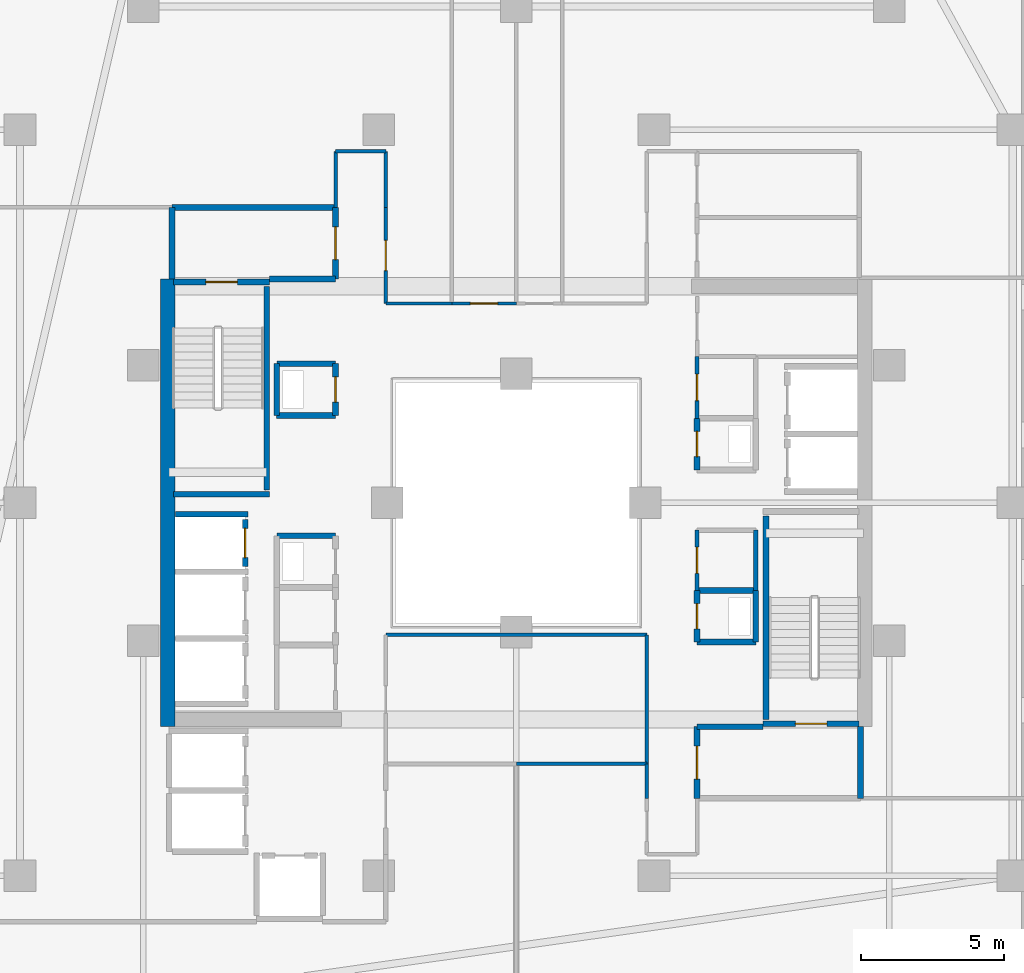
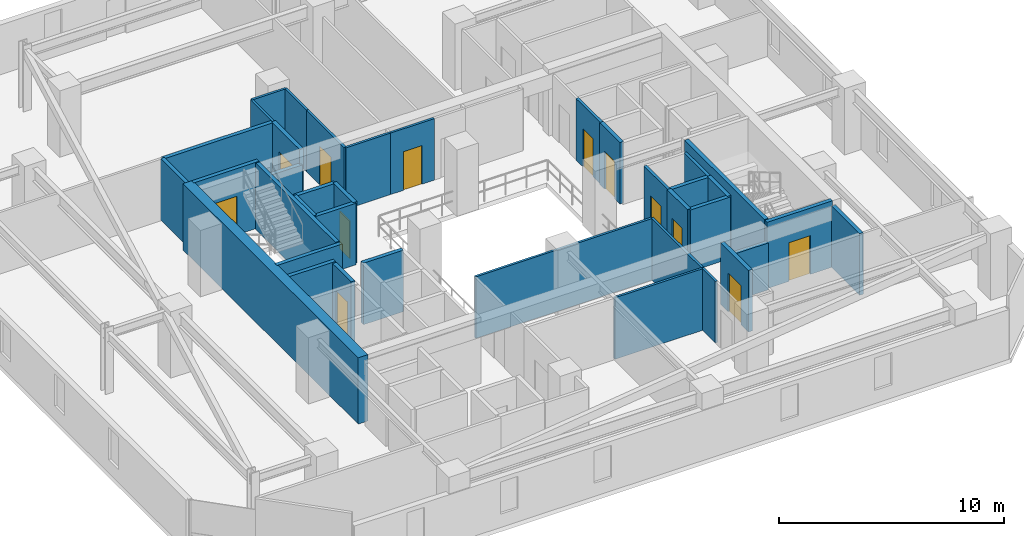
# One storey, part 24 of 33: 38 walls, 12 doors, 12 openings.
"""IFC4 building model written with IfcOpenShell, lengths in metres."""

from ifc_helpers import new_model, si_unit, direction, frame, frame_2d, origin, place, context, subcontext, project, spatial, rectangle, extrude, material, layer, layer_set, type_object, element, fill, save


model = new_model("IFC4")

# Units and contexts
model_context = context("Model", 3, precision=1e-05, world=origin(), true_north=direction((0.0, 1.0)))
body_context = subcontext(model_context, "Body", "Model", "MODEL_VIEW")
ifc_project = project(units=[si_unit("LENGTHUNIT", "METRE"), si_unit("AREAUNIT", "SQUARE_METRE"), si_unit("VOLUMEUNIT", "CUBIC_METRE"), si_unit("PLANEANGLEUNIT", "RADIAN"), si_unit("MASSUNIT", "GRAM", prefix="KILO")], contexts=[model_context])

# Site, building, storey
site_placement = place(None, origin())
site = spatial("IfcSite", under=ifc_project, at=site_placement, CompositionType="ELEMENT")
building_placement = place(site_placement, origin())
building = spatial("IfcBuilding", under=site, at=building_placement, Name="Thornwick Lancets Civic Towers", CompositionType="ELEMENT")
storey_placement = place(building_placement, frame((0.0, 0.0, 185.699951171875)))
storey = spatial("IfcBuildingStorey", under=building, at=storey_placement, Name="L49", CompositionType="ELEMENT", Elevation=185.699951171875)

# Wall, opening, door
ifc_material_1 = material(Name="Concrete blockwork C40/50", Category="masonry")
ifc_layer_1 = layer(ifc_material_1, 0.199951171875, Name="Concrete blockwork C40/50")
ifc_layer_set_1 = layer_set([ifc_layer_1], Name="Concrete blockwork C40/50")
wall_type_1 = type_object("IfcWallType", Name="WALL_COMP_200", PredefinedType="STANDARD", material=ifc_layer_set_1)
wall_1_placement = place(storey_placement, frame((79.050048828125, 24.780029296875, 0.0), z_axis=(0.0, 0.0, 1.0), x_axis=(0.0, 1.0, 0.0)))
wall_1 = element("IfcWall", 1, at=wall_1_placement, inside=storey, type_object=wall_type_1, Name="L49 Hoistway Front Wall FL-B2", PredefinedType="STANDARD", context=body_context, shape_type="SweptSolid", body=[
    extrude(rectangle(XDim=1.639892578125, YDim=0.199951171875, at=frame_2d((0.81982421875, 0.0))), origin(), (0.0, 0.0, 1.0), 3.340087890625),
])
opening_1_placement = place(wall_1_placement, frame((0.31005859375, 0.0, 0.0)))
opening_1 = element("IfcOpeningElement", 2, at=opening_1_placement, cuts=wall_1, Name="Opening LD-FL-B2", PredefinedType="OPENING", context=body_context, shape_type="SweptSolid", body=[
    extrude(rectangle(XDim=1.02001953125, YDim=2.06005859375, at=frame_2d((0.510009765625, 1.030029296875))), frame((0.0, 0.10986328125, 0.0), z_axis=(0.0, -1.0, 0.0), x_axis=(1.0, 0.0, 0.0)), (0.0, 0.0, 1.0), 0.219970703125),
])
ifc_material_2 = material(Name="Brushed bronze stainless steel", Category="steel")
door_type_1 = type_object("IfcDoorType", Name="DOOR_LIFT_SLIDE", OperationType="SLIDING_TO_LEFT", PredefinedType="DOOR", material=ifc_material_2)
door_1_placement = place(opening_1_placement, origin())
door_1 = element("IfcDoor", 3, at=door_1_placement, inside=storey, type_object=door_type_1, Name="L49 Sliding Lift Landing Door LD-FL-B2", OperationType="SLIDING_TO_LEFT", OverallHeight=2.06005859375, OverallWidth=1.02001953125, PredefinedType="DOOR", context=body_context, shape_type="SweptSolid", body=[
    extrude(rectangle(XDim=1.02001953125, YDim=2.06005859375, at=frame_2d((0.510009765625, 1.030029296875))), frame((0.0, 0.02490234375, 0.0), z_axis=(0.0, -1.0, 0.0), x_axis=(1.0, 0.0, 0.0)), (0.0, 0.0, 1.0), 0.050048828125),
])
fill(opening_1, door_1)

# Walls
wall_2_placement = place(storey_placement, frame((76.612060546875, 26.60009765625, 0.0), z_axis=(0.0, 0.0, 1.0), x_axis=(1.0, 0.0, 0.0)))
element("IfcWall", 4, at=wall_2_placement, inside=storey, type_object=wall_type_1, Name="L49 Hoistway Shaft Wall FL-B2 N", PredefinedType="STANDARD", context=body_context, shape_type="SweptSolid", body=[
    extrude(rectangle(XDim=2.535888671875, YDim=0.199951171875, at=frame_2d((1.26806640625, 0.0))), origin(), (0.0, 0.0, 1.0), 3.340087890625),
])
wall_3_placement = place(storey_placement, frame((100.5, 16.699951171875, 0.0), z_axis=(0.0, 0.0, 1.0), x_axis=(0.0, 1.0, 0.0)))
element("IfcWall", 5, at=wall_3_placement, inside=storey, type_object=wall_type_1, Name="L49 Partition L49-B-FFLOB1 E2", PredefinedType="STANDARD", context=body_context, shape_type="SweptSolid", body=[
    extrude(rectangle(XDim=2.5, YDim=0.199951171875, at=frame_2d((1.25, 0.0))), origin(), (0.0, 0.0, 1.0), 3.340087890625),
])
wall_4_placement = place(storey_placement, frame((97.10009765625, 19.199951171875, 0.0), z_axis=(0.0, 0.0, 1.0), x_axis=(-1.0, 0.0, 0.0)))
element("IfcWall", 6, at=wall_4_placement, inside=storey, type_object=wall_type_1, Name="L49 Partition L49-B-FFLOB1 E3", PredefinedType="STANDARD", context=body_context, shape_type="SweptSolid", body=[
    extrude(rectangle(XDim=2.300048828125, YDim=0.199951171875, at=frame_2d((1.14990234375, 0.0))), origin(), (0.0, 0.0, 1.0), 2.545166015625),
])

# Wall, opening, door
wall_5_placement = place(storey_placement, frame((94.800048828125, 19.199951171875, 0.0), z_axis=(0.0, 0.0, 1.0), x_axis=(0.0, -1.0, 0.0)))
wall_5 = element("IfcWall", 7, at=wall_5_placement, inside=storey, type_object=wall_type_1, Name="L49 Partition L49-B-FFLOB1 E4", PredefinedType="STANDARD", context=body_context, shape_type="SweptSolid", body=[
    extrude(rectangle(XDim=2.5, YDim=0.199951171875, at=frame_2d((1.25, 0.0))), origin(), (0.0, 0.0, 1.0), 3.340087890625),
])
opening_2_placement = place(wall_5_placement, frame((0.675048828125, 0.0, 0.0)))
opening_2 = element("IfcOpeningElement", 8, at=opening_2_placement, cuts=wall_5, Name="Opening D-L49-2172", PredefinedType="OPENING", context=body_context, shape_type="SweptSolid", body=[
    extrude(rectangle(XDim=1.14990234375, YDim=2.10009765625, at=frame_2d((0.574951171875, 1.050048828125))), frame((0.0, 0.10986328125, 0.0), z_axis=(0.0, -1.0, 0.0), x_axis=(1.0, 0.0, 0.0)), (0.0, 0.0, 1.0), 0.219970703125),
])
ifc_material_3 = material(Name="Glazed fire-resisting steel", Category="steel")
door_type_2 = type_object("IfcDoorType", Name="DOOR_LOBBY_FD60", OperationType="NOTDEFINED", PredefinedType="DOOR", material=ifc_material_3)
door_2_placement = place(opening_2_placement, origin())
door_2 = element("IfcDoor", 9, at=door_2_placement, inside=storey, type_object=door_type_2, Name="L49 East Firefighting Lobby 1 Door", OperationType="SINGLE_SWING_LEFT", OverallHeight=2.10009765625, OverallWidth=1.14990234375, PredefinedType="DOOR", context=body_context, shape_type="SweptSolid", body=[
    extrude(rectangle(XDim=1.14990234375, YDim=2.10009765625, at=frame_2d((0.574951171875, 1.050048828125))), frame((0.0, 0.02490234375, 0.0), z_axis=(0.0, -1.0, 0.0), x_axis=(1.0, 0.0, 0.0)), (0.0, 0.0, 1.0), 0.050048828125),
])
fill(opening_2, door_2)

# Wall
wall_6_placement = place(storey_placement, frame((79.89990234375, 34.800048828125, 0.0), z_axis=(0.0, 0.0, 1.0), x_axis=(1.0, 0.0, 0.0)))
element("IfcWall", 10, at=wall_6_placement, inside=storey, type_object=wall_type_1, Name="L49 Partition L49-B-FFLOB2 E1", PredefinedType="STANDARD", context=body_context, shape_type="SweptSolid", body=[
    extrude(rectangle(XDim=2.300048828125, YDim=0.199951171875, at=frame_2d((1.14990234375, 0.0))), origin(), (0.0, 0.0, 1.0), 2.545166015625),
])

# Wall, opening, door
wall_7_placement = place(storey_placement, frame((82.199951171875, 34.800048828125, 0.0), z_axis=(0.0, 0.0, 1.0), x_axis=(0.0, 1.0, 0.0)))
wall_7 = element("IfcWall", 11, at=wall_7_placement, inside=storey, type_object=wall_type_1, Name="L49 Partition L49-B-FFLOB2 E2", PredefinedType="STANDARD", context=body_context, shape_type="SweptSolid", body=[
    extrude(rectangle(XDim=2.5, YDim=0.199951171875, at=frame_2d((1.25, 0.0))), origin(), (0.0, 0.0, 1.0), 3.340087890625),
])
opening_3_placement = place(wall_7_placement, frame((0.675048828125, 0.0, 0.0)))
opening_3 = element("IfcOpeningElement", 12, at=opening_3_placement, cuts=wall_7, Name="Opening D-L49-2173", PredefinedType="OPENING", context=body_context, shape_type="SweptSolid", body=[
    extrude(rectangle(XDim=1.14990234375, YDim=2.10009765625, at=frame_2d((0.574951171875, 1.050048828125))), frame((0.0, 0.10986328125, 0.0), z_axis=(0.0, -1.0, 0.0), x_axis=(1.0, 0.0, 0.0)), (0.0, 0.0, 1.0), 0.219970703125),
])
door_3_placement = place(opening_3_placement, origin())
door_3 = element("IfcDoor", 13, at=door_3_placement, inside=storey, type_object=door_type_2, Name="L49 West Firefighting Lobby 2 Door", OperationType="SINGLE_SWING_RIGHT", OverallHeight=2.10009765625, OverallWidth=1.14990234375, PredefinedType="DOOR", context=body_context, shape_type="SweptSolid", body=[
    extrude(rectangle(XDim=1.14990234375, YDim=2.10009765625, at=frame_2d((0.574951171875, 1.050048828125))), frame((0.0, 0.02490234375, 0.0), z_axis=(0.0, -1.0, 0.0), x_axis=(1.0, 0.0, 0.0)), (0.0, 0.0, 1.0), 0.050048828125),
])
fill(opening_3, door_3)

# Walls
wall_8_placement = place(storey_placement, frame((82.199951171875, 37.300048828125, 0.0), z_axis=(0.0, 0.0, 1.0), x_axis=(-1.0, 0.0, 0.0)))
element("IfcWall", 14, at=wall_8_placement, inside=storey, type_object=wall_type_1, Name="L49 Partition L49-B-FFLOB2 E3", PredefinedType="STANDARD", context=body_context, shape_type="SweptSolid", body=[
    extrude(rectangle(XDim=5.699951171875, YDim=0.199951171875, at=frame_2d((2.85009765625, 0.0))), origin(), (0.0, 0.0, 1.0), 3.340087890625),
])
wall_9_placement = place(storey_placement, frame((76.5, 37.300048828125, 0.0), z_axis=(0.0, 0.0, 1.0), x_axis=(0.0, -1.0, 0.0)))
element("IfcWall", 15, at=wall_9_placement, inside=storey, type_object=wall_type_1, Name="L49 Partition L49-B-FFLOB2 E4", PredefinedType="STANDARD", context=body_context, shape_type="SweptSolid", body=[
    extrude(rectangle(XDim=2.5, YDim=0.199951171875, at=frame_2d((1.25, 0.0))), origin(), (0.0, 0.0, 1.0), 3.340087890625),
])

# Wall, opening, door
wall_10_placement = place(storey_placement, frame((94.800048828125, 29.949951171875, 0.0), z_axis=(0.0, 0.0, 1.0), x_axis=(0.0, -1.0, 0.0)))
wall_10 = element("IfcWall", 16, at=wall_10_placement, inside=storey, type_object=wall_type_1, Name="L49 Partition L49-B-DUCT1 E4", PredefinedType="STANDARD", context=body_context, shape_type="SweptSolid", body=[
    extrude(rectangle(XDim=1.800048828125, YDim=0.199951171875, at=frame_2d((0.89990234375, 0.0))), origin(), (0.0, 0.0, 1.0), 3.340087890625),
])
opening_4_placement = place(wall_10_placement, frame((0.4599609375, 0.0, 0.0)))
opening_4 = element("IfcOpeningElement", 17, at=opening_4_placement, cuts=wall_10, Name="Opening D-L49-2174", PredefinedType="OPENING", context=body_context, shape_type="SweptSolid", body=[
    extrude(rectangle(XDim=0.8798828125, YDim=2.0400390625, at=frame_2d((0.43994140625, 1.02001953125))), frame((0.0, 0.10986328125, 0.0), z_axis=(0.0, -1.0, 0.0), x_axis=(1.0, 0.0, 0.0)), (0.0, 0.0, 1.0), 0.219970703125),
])
ifc_material_4 = material(Name="Steel riser access doorset", Category="steel")
door_type_3 = type_object("IfcDoorType", Name="DOOR_RISER_850", OperationType="NOTDEFINED", PredefinedType="DOOR", material=ifc_material_4)
door_4_placement = place(opening_4_placement, origin())
door_4 = element("IfcDoor", 18, at=door_4_placement, inside=storey, type_object=door_type_3, Name="L49 East Service Duct 1 Door", OperationType="SINGLE_SWING_LEFT", OverallHeight=2.0400390625, OverallWidth=0.8798828125, PredefinedType="DOOR", context=body_context, shape_type="SweptSolid", body=[
    extrude(rectangle(XDim=0.8798828125, YDim=2.0400390625, at=frame_2d((0.43994140625, 1.02001953125))), frame((0.0, 0.02490234375, 0.0), z_axis=(0.0, -1.0, 0.0), x_axis=(1.0, 0.0, 0.0)), (0.0, 0.0, 1.0), 0.050048828125),
])
fill(opening_4, door_4)

# Walls
wall_11_placement = place(storey_placement, frame((94.800048828125, 22.14990234375, 0.0), z_axis=(0.0, 0.0, 1.0), x_axis=(1.0, 0.0, 0.0)))
element("IfcWall", 19, at=wall_11_placement, inside=storey, type_object=wall_type_1, Name="L49 Partition L49-B-RISER1 E1", PredefinedType="STANDARD", context=body_context, shape_type="SweptSolid", body=[
    extrude(rectangle(XDim=2.050048828125, YDim=0.199951171875, at=frame_2d((1.02490234375, 0.0))), origin(), (0.0, 0.0, 1.0), 3.340087890625),
])
wall_12_placement = place(storey_placement, frame((96.85009765625, 22.14990234375, 0.0), z_axis=(0.0, 0.0, 1.0), x_axis=(0.0, 1.0, 0.0)))
element("IfcWall", 20, at=wall_12_placement, inside=storey, type_object=wall_type_1, Name="L49 Partition L49-B-RISER1 E2", PredefinedType="STANDARD", context=body_context, shape_type="SweptSolid", body=[
    extrude(rectangle(XDim=1.800048828125, YDim=0.199951171875, at=frame_2d((0.89990234375, 0.0))), origin(), (0.0, 0.0, 1.0), 3.340087890625),
])
wall_13_placement = place(storey_placement, frame((96.85009765625, 23.949951171875, 0.0), z_axis=(0.0, 0.0, 1.0), x_axis=(-1.0, 0.0, 0.0)))
element("IfcWall", 21, at=wall_13_placement, inside=storey, type_object=wall_type_1, Name="L49 Partition L49-B-RISER1 E3", PredefinedType="STANDARD", context=body_context, shape_type="SweptSolid", body=[
    extrude(rectangle(XDim=2.050048828125, YDim=0.199951171875, at=frame_2d((1.02490234375, 0.0))), origin(), (0.0, 0.0, 1.0), 3.340087890625),
])

# Wall, opening, door
wall_14_placement = place(storey_placement, frame((94.800048828125, 23.949951171875, 0.0), z_axis=(0.0, 0.0, 1.0), x_axis=(0.0, -1.0, 0.0)))
wall_14 = element("IfcWall", 22, at=wall_14_placement, inside=storey, type_object=wall_type_1, Name="L49 Partition L49-B-RISER1 E4", PredefinedType="STANDARD", context=body_context, shape_type="SweptSolid", body=[
    extrude(rectangle(XDim=1.800048828125, YDim=0.199951171875, at=frame_2d((0.89990234375, 0.0))), origin(), (0.0, 0.0, 1.0), 3.340087890625),
])
opening_5_placement = place(wall_14_placement, frame((0.4599609375, 0.0, 0.0)))
opening_5 = element("IfcOpeningElement", 23, at=opening_5_placement, cuts=wall_14, Name="Opening D-L49-2175", PredefinedType="OPENING", context=body_context, shape_type="SweptSolid", body=[
    extrude(rectangle(XDim=0.8798828125, YDim=2.0400390625, at=frame_2d((0.43994140625, 1.02001953125))), frame((0.0, 0.10986328125, 0.0), z_axis=(0.0, -1.0, 0.0), x_axis=(1.0, 0.0, 0.0)), (0.0, 0.0, 1.0), 0.219970703125),
])
door_5_placement = place(opening_5_placement, origin())
door_5 = element("IfcDoor", 24, at=door_5_placement, inside=storey, type_object=door_type_3, Name="L49 East Electrical Riser 1 Door", OperationType="SINGLE_SWING_RIGHT", OverallHeight=2.0400390625, OverallWidth=0.8798828125, PredefinedType="DOOR", context=body_context, shape_type="SweptSolid", body=[
    extrude(rectangle(XDim=0.8798828125, YDim=2.0400390625, at=frame_2d((0.43994140625, 1.02001953125))), frame((0.0, 0.02490234375, 0.0), z_axis=(0.0, -1.0, 0.0), x_axis=(1.0, 0.0, 0.0)), (0.0, 0.0, 1.0), 0.050048828125),
])
fill(opening_5, door_5)

# Walls
for number, where, z_axis, x_axis, name in (
    (25, (82.199951171875, 25.85009765625, 0.0), (0.0, 0.0, 1.0), (-1.0, 0.0, 0.0), "L49 Partition L49-B-DUCT2 E3"),
    (26, (80.14990234375, 30.050048828125, 0.0), (0.0, 0.0, 1.0), (1.0, 0.0, 0.0), "L49 Partition L49-B-RISER2 E1"),
):
    element("IfcWall", number, at=place(storey_placement, frame(where, z_axis=z_axis, x_axis=x_axis)), inside=storey, type_object=wall_type_1, Name=name, PredefinedType="STANDARD", context=body_context, shape_type="SweptSolid", body=[
        extrude(rectangle(XDim=2.050048828125, YDim=0.199951171875, at=frame_2d((1.02490234375, 0.0))), origin(), (0.0, 0.0, 1.0), 3.340087890625),
    ])

# Wall, opening, door
wall_15_placement = place(storey_placement, frame((82.199951171875, 30.050048828125, 0.0), z_axis=(0.0, 0.0, 1.0), x_axis=(0.0, 1.0, 0.0)))
wall_15 = element("IfcWall", 27, at=wall_15_placement, inside=storey, type_object=wall_type_1, Name="L49 Partition L49-B-RISER2 E2", PredefinedType="STANDARD", context=body_context, shape_type="SweptSolid", body=[
    extrude(rectangle(XDim=1.800048828125, YDim=0.199951171875, at=frame_2d((0.89990234375, 0.0))), origin(), (0.0, 0.0, 1.0), 3.340087890625),
])
opening_6_placement = place(wall_15_placement, frame((0.4599609375, 0.0, 0.0)))
opening_6 = element("IfcOpeningElement", 28, at=opening_6_placement, cuts=wall_15, Name="Opening D-L49-2177", PredefinedType="OPENING", context=body_context, shape_type="SweptSolid", body=[
    extrude(rectangle(XDim=0.8798828125, YDim=2.0400390625, at=frame_2d((0.43994140625, 1.02001953125))), frame((0.0, 0.10986328125, 0.0), z_axis=(0.0, -1.0, 0.0), x_axis=(1.0, 0.0, 0.0)), (0.0, 0.0, 1.0), 0.219970703125),
])
door_6_placement = place(opening_6_placement, origin())
door_6 = element("IfcDoor", 29, at=door_6_placement, inside=storey, type_object=door_type_3, Name="L49 West Service Riser 2 Door", OperationType="SINGLE_SWING_RIGHT", OverallHeight=2.0400390625, OverallWidth=0.8798828125, PredefinedType="DOOR", context=body_context, shape_type="SweptSolid", body=[
    extrude(rectangle(XDim=0.8798828125, YDim=2.0400390625, at=frame_2d((0.43994140625, 1.02001953125))), frame((0.0, 0.02490234375, 0.0), z_axis=(0.0, -1.0, 0.0), x_axis=(1.0, 0.0, 0.0)), (0.0, 0.0, 1.0), 0.050048828125),
])
fill(opening_6, door_6)

# Walls
wall_16_placement = place(storey_placement, frame((82.199951171875, 31.85009765625, 0.0), z_axis=(0.0, 0.0, 1.0), x_axis=(-1.0, 0.0, 0.0)))
element("IfcWall", 30, at=wall_16_placement, inside=storey, type_object=wall_type_1, Name="L49 Partition L49-B-RISER2 E3", PredefinedType="STANDARD", context=body_context, shape_type="SweptSolid", body=[
    extrude(rectangle(XDim=2.050048828125, YDim=0.199951171875, at=frame_2d((1.02490234375, 0.0))), origin(), (0.0, 0.0, 1.0), 3.340087890625),
])
wall_17_placement = place(storey_placement, frame((80.14990234375, 31.85009765625, 0.0), z_axis=(0.0, 0.0, 1.0), x_axis=(0.0, -1.0, 0.0)))
element("IfcWall", 31, at=wall_17_placement, inside=storey, type_object=wall_type_1, Name="L49 Partition L49-B-RISER2 E4", PredefinedType="STANDARD", context=body_context, shape_type="SweptSolid", body=[
    extrude(rectangle(XDim=1.800048828125, YDim=0.199951171875, at=frame_2d((0.89990234375, 0.0))), origin(), (0.0, 0.0, 1.0), 3.340087890625),
])
ifc_material_5 = material(Name="Concrete C50/60", Category="concrete")
ifc_layer_2 = layer(ifc_material_5, 0.5, Name="Concrete C50/60")
ifc_layer_set_2 = layer_set([ifc_layer_2], Name="Concrete C50/60")
wall_type_2 = type_object("IfcWallType", Name="WALL_CORE_500", PredefinedType="SHEAR", material=ifc_layer_set_2)
wall_18_placement = place(storey_placement, frame((76.35009765625, 19.199951171875, 0.0), z_axis=(0.0, 0.0, 1.0), x_axis=(0.0, 1.0, 0.0)))
element("IfcWall", 32, at=wall_18_placement, inside=storey, type_object=wall_type_2, Name="L49 Split Core B2 Shear Wall W", PredefinedType="SHEAR", context=body_context, shape_type="SweptSolid", body=[
    extrude(rectangle(XDim=15.60009765625, YDim=0.5, at=frame_2d((7.800048828125, 0.0))), origin(), (0.0, 0.0, 1.0), 3.60009765625),
])
ifc_material_6 = material(Name="Acoustic gypsum board partition")
ifc_layer_3 = layer(ifc_material_6, 0.1201171875, Name="Acoustic gypsum board partition")
ifc_layer_set_3 = layer_set([ifc_layer_3], Name="Acoustic gypsum board partition")
wall_type_3 = type_object("IfcWallType", Name="WALL_PART_120", PredefinedType="PARTITIONING", material=ifc_layer_set_3)
wall_19_placement = place(storey_placement, frame((88.5, 17.89990234375, 0.0), z_axis=(0.0, 0.0, 1.0), x_axis=(1.0, 0.0, 0.0)))
element("IfcWall", 33, at=wall_19_placement, inside=storey, type_object=wall_type_3, Name="L49 Partition L49-B-W1 E3", PredefinedType="PARTITIONING", context=body_context, shape_type="SweptSolid", body=[
    extrude(rectangle(XDim=4.550048828125, YDim=0.1201171875, at=frame_2d((2.27490234375, 0.0))), origin(), (0.0, 0.0, 1.0), 3.340087890625),
])
wall_20_placement = place(storey_placement, frame((93.050048828125, 17.89990234375, 0.0), z_axis=(0.0, 0.0, 1.0), x_axis=(0.0, -1.0, 0.0)))
element("IfcWall", 34, at=wall_20_placement, inside=storey, type_object=wall_type_3, Name="L49 Partition L49-B-W1 E4", PredefinedType="PARTITIONING", context=body_context, shape_type="SweptSolid", body=[
    extrude(rectangle(XDim=1.199951171875, YDim=0.1201171875, at=frame_2d((0.60009765625, 0.0))), origin(), (0.0, 0.0, 1.0), 3.340087890625),
])
wall_21_placement = place(storey_placement, frame((83.949951171875, 22.39990234375, 0.0), z_axis=(0.0, 0.0, 1.0), x_axis=(1.0, 0.0, 0.0)))
element("IfcWall", 35, at=wall_21_placement, inside=storey, type_object=wall_type_3, Name="L49 Partition L49-B-W3 E2", PredefinedType="PARTITIONING", context=body_context, shape_type="SweptSolid", body=[
    extrude(rectangle(XDim=9.10009765625, YDim=0.1201171875, at=frame_2d((4.550048828125, 0.0))), origin(), (0.0, 0.0, 1.0), 3.340087890625),
])
wall_22_placement = place(storey_placement, frame((93.050048828125, 22.39990234375, 0.0), z_axis=(0.0, 0.0, 1.0), x_axis=(0.0, -1.0, 0.0)))
element("IfcWall", 36, at=wall_22_placement, inside=storey, type_object=wall_type_3, Name="L49 Partition L49-B-W3 E3", PredefinedType="PARTITIONING", context=body_context, shape_type="SweptSolid", body=[
    extrude(rectangle(XDim=4.5, YDim=0.1201171875, at=frame_2d((2.25, 0.0))), origin(), (0.0, 0.0, 1.0), 3.340087890625),
])

# Wall, opening, door
wall_23_placement = place(storey_placement, frame((88.5, 33.949951171875, 0.0), z_axis=(0.0, 0.0, 1.0), x_axis=(-1.0, 0.0, 0.0)))
wall_23 = element("IfcWall", 37, at=wall_23_placement, inside=storey, type_object=wall_type_3, Name="L49 Partition L49-B-E3 E4", PredefinedType="PARTITIONING", context=body_context, shape_type="SweptSolid", body=[
    extrude(rectangle(XDim=2.25, YDim=0.1201171875, at=frame_2d((1.125, 0.0))), origin(), (0.0, 0.0, 1.0), 3.340087890625),
])
opening_7_placement = place(wall_23_placement, frame((0.64990234375, 0.0, 0.0)))
opening_7 = element("IfcOpeningElement", 38, at=opening_7_placement, cuts=wall_23, Name="Opening D-L49-2199", PredefinedType="OPENING", context=body_context, shape_type="SweptSolid", body=[
    extrude(rectangle(XDim=0.949951171875, YDim=2.10009765625, at=frame_2d((0.47509765625, 1.050048828125))), frame((0.0, 0.070068359375, 0.0), z_axis=(0.0, -1.0, 0.0), x_axis=(1.0, 0.0, 0.0)), (0.0, 0.0, 1.0), 0.14013671875),
])
ifc_material_7 = material(Name="European oak acoustic doorset")
door_type_4 = type_object("IfcDoorType", Name="DOOR_OFFICE_950", OperationType="NOTDEFINED", PredefinedType="DOOR", material=ifc_material_7)
door_7_placement = place(opening_7_placement, origin())
door_7 = element("IfcDoor", 39, at=door_7_placement, inside=storey, type_object=door_type_4, Name="L49 Tower B Civic Seminar Room Door", OperationType="SINGLE_SWING_RIGHT", OverallHeight=2.10009765625, OverallWidth=0.949951171875, PredefinedType="DOOR", context=body_context, shape_type="SweptSolid", body=[
    extrude(rectangle(XDim=0.949951171875, YDim=2.10009765625, at=frame_2d((0.47509765625, 1.050048828125))), frame((0.0, 0.02490234375, 0.0), z_axis=(0.0, -1.0, 0.0), x_axis=(1.0, 0.0, 0.0)), (0.0, 0.0, 1.0), 0.050048828125),
])
fill(opening_7, door_7)

wall_24_placement = place(storey_placement, frame((83.949951171875, 33.949951171875, 0.0), z_axis=(0.0, 0.0, 1.0), x_axis=(0.0, 1.0, 0.0)))
wall_24 = element("IfcWall", 40, at=wall_24_placement, inside=storey, type_object=wall_type_3, Name="L49 Partition L49-B-E4 E1", PredefinedType="PARTITIONING", context=body_context, shape_type="SweptSolid", body=[
    extrude(rectangle(XDim=3.35009765625, YDim=0.1201171875, at=frame_2d((1.675048828125, 0.0))), origin(), (0.0, 0.0, 1.0), 3.340087890625),
])
opening_8_placement = place(wall_24_placement, frame((1.14990234375, 0.0, 0.0)))
opening_8 = element("IfcOpeningElement", 41, at=opening_8_placement, cuts=wall_24, Name="Opening D-L49-2200", PredefinedType="OPENING", context=body_context, shape_type="SweptSolid", body=[
    extrude(rectangle(XDim=1.050048828125, YDim=2.10009765625, at=frame_2d((0.52490234375, 1.050048828125))), frame((0.0, 0.070068359375, 0.0), z_axis=(0.0, -1.0, 0.0), x_axis=(1.0, 0.0, 0.0)), (0.0, 0.0, 1.0), 0.14013671875),
])
ifc_material_8 = material(Name="Glazed European oak executive doorset")
door_type_5 = type_object("IfcDoorType", Name="DOOR_OFFICE_1050", OperationType="NOTDEFINED", PredefinedType="DOOR", material=ifc_material_8)
door_8_placement = place(opening_8_placement, origin())
door_8 = element("IfcDoor", 42, at=door_8_placement, inside=storey, type_object=door_type_5, Name="L49 Tower B Counsel Chambers Office E4 Door", OperationType="SINGLE_SWING_LEFT", OverallHeight=2.10009765625, OverallWidth=1.050048828125, PredefinedType="DOOR", context=body_context, shape_type="SweptSolid", body=[
    extrude(rectangle(XDim=1.050048828125, YDim=2.10009765625, at=frame_2d((0.52490234375, 1.050048828125))), frame((0.0, 0.02490234375, 0.0), z_axis=(0.0, -1.0, 0.0), x_axis=(1.0, 0.0, 0.0)), (0.0, 0.0, 1.0), 0.050048828125),
])
fill(opening_8, door_8)

# Walls
wall_25_placement = place(storey_placement, frame((83.949951171875, 37.300048828125, 0.0), z_axis=(0.0, 0.0, 1.0), x_axis=(0.0, 1.0, 0.0)))
element("IfcWall", 43, at=wall_25_placement, inside=storey, type_object=wall_type_3, Name="L49 Partition L49-B-E4 E2", PredefinedType="PARTITIONING", context=body_context, shape_type="SweptSolid", body=[
    extrude(rectangle(XDim=1.949951171875, YDim=0.1201171875, at=frame_2d((0.97509765625, 0.0))), origin(), (0.0, 0.0, 1.0), 3.340087890625),
])
wall_26_placement = place(storey_placement, frame((83.949951171875, 39.25, 0.0), z_axis=(0.0, 0.0, 1.0), x_axis=(-1.0, 0.0, 0.0)))
element("IfcWall", 44, at=wall_26_placement, inside=storey, type_object=wall_type_3, Name="L49 Partition L49-B-E4 E3", PredefinedType="PARTITIONING", context=body_context, shape_type="SweptSolid", body=[
    extrude(rectangle(XDim=1.75, YDim=0.1201171875, at=frame_2d((0.875, 0.0))), origin(), (0.0, 0.0, 1.0), 3.340087890625),
])
wall_27_placement = place(storey_placement, frame((82.199951171875, 39.25, 0.0), z_axis=(0.0, 0.0, 1.0), x_axis=(0.0, -1.0, 0.0)))
element("IfcWall", 45, at=wall_27_placement, inside=storey, type_object=wall_type_3, Name="L49 Partition L49-B-E4 E4", PredefinedType="PARTITIONING", context=body_context, shape_type="SweptSolid", body=[
    extrude(rectangle(XDim=1.949951171875, YDim=0.1201171875, at=frame_2d((0.97509765625, 0.0))), origin(), (0.0, 0.0, 1.0), 3.340087890625),
])
wall_28_placement = place(storey_placement, frame((86.25, 33.949951171875, 0.0), z_axis=(0.0, 0.0, 1.0), x_axis=(-1.0, 0.0, 0.0)))
element("IfcWall", 46, at=wall_28_placement, inside=storey, type_object=wall_type_3, Name="L49 Partition L49-B-E4 E11", PredefinedType="PARTITIONING", context=body_context, shape_type="SweptSolid", body=[
    extrude(rectangle(XDim=2.300048828125, YDim=0.1201171875, at=frame_2d((1.14990234375, 0.0))), origin(), (0.0, 0.0, 1.0), 3.340087890625),
])

# Wall, opening, door
ifc_material_9 = material(Name="Twin-stud acoustic gypsum board")
ifc_layer_4 = layer(ifc_material_9, 0.14990234375, Name="Twin-stud acoustic gypsum board")
ifc_layer_set_4 = layer_set([ifc_layer_4], Name="Twin-stud acoustic gypsum board")
wall_type_4 = type_object("IfcWallType", Name="WALL_PART_150", PredefinedType="PARTITIONING", material=ifc_layer_set_4)
wall_29_placement = place(storey_placement, frame((94.800048828125, 23.949951171875, 0.0), z_axis=(0.0, 0.0, 1.0), x_axis=(0.0, 1.0, 0.0)))
wall_29 = element("IfcWall", 47, at=wall_29_placement, inside=storey, type_object=wall_type_4, Name="L49 Partition L49-B-MWC E1", PredefinedType="PARTITIONING", context=body_context, shape_type="SweptSolid", body=[
    extrude(rectangle(XDim=2.10009765625, YDim=0.14990234375, at=frame_2d((1.050048828125, 0.0))), origin(), (0.0, 0.0, 1.0), 3.340087890625),
])
opening_9_placement = place(wall_29_placement, frame((0.590087890625, 0.0, 0.0)))
opening_9 = element("IfcOpeningElement", 48, at=opening_9_placement, cuts=wall_29, Name="Opening D-L49-2178", PredefinedType="OPENING", context=body_context, shape_type="SweptSolid", body=[
    extrude(rectangle(XDim=0.919921875, YDim=2.080078125, at=frame_2d((0.4599609375, 1.0400390625))), frame((0.0, 0.0849609375, 0.0), z_axis=(0.0, -1.0, 0.0), x_axis=(1.0, 0.0, 0.0)), (0.0, 0.0, 1.0), 0.169921875),
])
ifc_material_10 = material(Name="Moisture-resistant oak doorset")
door_type_6 = type_object("IfcDoorType", Name="DOOR_WC_900", OperationType="NOTDEFINED", PredefinedType="DOOR", material=ifc_material_10)
door_9_placement = place(opening_9_placement, origin())
door_9 = element("IfcDoor", 49, at=door_9_placement, inside=storey, type_object=door_type_6, Name="L49 Tower B Male WC Door", OperationType="SINGLE_SWING_LEFT", OverallHeight=2.080078125, OverallWidth=0.919921875, PredefinedType="DOOR", context=body_context, shape_type="SweptSolid", body=[
    extrude(rectangle(XDim=0.919921875, YDim=2.080078125, at=frame_2d((0.4599609375, 1.0400390625))), frame((0.0, 0.02490234375, 0.0), z_axis=(0.0, -1.0, 0.0), x_axis=(1.0, 0.0, 0.0)), (0.0, 0.0, 1.0), 0.050048828125),
])
fill(opening_9, door_9)

# Wall
wall_30_placement = place(storey_placement, frame((96.85009765625, 26.050048828125, 0.0), z_axis=(0.0, 0.0, 1.0), x_axis=(0.0, -1.0, 0.0)))
element("IfcWall", 50, at=wall_30_placement, inside=storey, type_object=wall_type_4, Name="L49 Partition L49-B-MWC E3", PredefinedType="PARTITIONING", context=body_context, shape_type="SweptSolid", body=[
    extrude(rectangle(XDim=2.10009765625, YDim=0.14990234375, at=frame_2d((1.050048828125, 0.0))), origin(), (0.0, 0.0, 1.0), 3.340087890625),
])

# Wall, opening, door
wall_31_placement = place(storey_placement, frame((94.800048828125, 29.949951171875, 0.0), z_axis=(0.0, 0.0, 1.0), x_axis=(0.0, 1.0, 0.0)))
wall_31 = element("IfcWall", 51, at=wall_31_placement, inside=storey, type_object=wall_type_4, Name="L49 Partition L49-B-FWC E1", PredefinedType="PARTITIONING", context=body_context, shape_type="SweptSolid", body=[
    extrude(rectangle(XDim=2.150146484375, YDim=0.14990234375, at=frame_2d((1.0751953125, 0.0))), origin(), (0.0, 0.0, 1.0), 3.340087890625),
])
opening_10_placement = place(wall_31_placement, frame((0.614990234375, 0.0, 0.0)))
opening_10 = element("IfcOpeningElement", 52, at=opening_10_placement, cuts=wall_31, Name="Opening D-L49-2179", PredefinedType="OPENING", context=body_context, shape_type="SweptSolid", body=[
    extrude(rectangle(XDim=0.919921875, YDim=2.080078125, at=frame_2d((0.4599609375, 1.0400390625))), frame((0.0, 0.0849609375, 0.0), z_axis=(0.0, -1.0, 0.0), x_axis=(1.0, 0.0, 0.0)), (0.0, 0.0, 1.0), 0.169921875),
])
door_10_placement = place(opening_10_placement, origin())
door_10 = element("IfcDoor", 53, at=door_10_placement, inside=storey, type_object=door_type_6, Name="L49 Tower B Female WC Door", OperationType="SINGLE_SWING_RIGHT", OverallHeight=2.080078125, OverallWidth=0.919921875, PredefinedType="DOOR", context=body_context, shape_type="SweptSolid", body=[
    extrude(rectangle(XDim=0.919921875, YDim=2.080078125, at=frame_2d((0.4599609375, 1.0400390625))), frame((0.0, 0.02490234375, 0.0), z_axis=(0.0, -1.0, 0.0), x_axis=(1.0, 0.0, 0.0)), (0.0, 0.0, 1.0), 0.050048828125),
])
fill(opening_10, door_10)

ifc_material_11 = material(Name="Concrete C40/50", Category="concrete")
ifc_layer_5 = layer(ifc_material_11, 0.199951171875, Name="Concrete C40/50")
ifc_layer_set_5 = layer_set([ifc_layer_5], Name="Concrete C40/50")
wall_type_5 = type_object("IfcWallType", Name="WALL_SHAFT_200", PredefinedType="SHEAR", material=ifc_layer_set_5)
wall_32_placement = place(storey_placement, frame((100.449951171875, 19.300048828125, 0.0), z_axis=(0.0, 0.0, 1.0), x_axis=(-1.0, 0.0, 0.0)))
wall_32 = element("IfcWall", 54, at=wall_32_placement, inside=storey, type_object=wall_type_5, Name="L49 ST-B1 Fire Stair Core Wall NEAR", PredefinedType="SHEAR", context=body_context, shape_type="SweptSolid", body=[
    extrude(rectangle(XDim=3.349853515625, YDim=0.199951171875, at=frame_2d((1.6748046875, 0.0))), origin(), (0.0, 0.0, 1.0), 3.60009765625),
])
opening_11_placement = place(wall_32_placement, frame((1.125, 0.0, 0.0)))
opening_11 = element("IfcOpeningElement", 55, at=opening_11_placement, cuts=wall_32, Name="Opening D-ST-B1-L49", PredefinedType="OPENING", context=body_context, shape_type="SweptSolid", body=[
    extrude(rectangle(XDim=1.10009765625, YDim=2.10009765625, at=frame_2d((0.550048828125, 1.050048828125))), frame((0.0, 0.10986328125, 0.0), z_axis=(0.0, -1.0, 0.0), x_axis=(1.0, 0.0, 0.0)), (0.0, 0.0, 1.0), 0.219970703125),
])
ifc_material_12 = material(Name="Fire-resisting steel and hardwood", Category="steel")
door_type_7 = type_object("IfcDoorType", Name="DOOR_STAIR_FD60", OperationType="NOTDEFINED", PredefinedType="DOOR", material=ifc_material_12)
door_11_placement = place(opening_11_placement, origin())
door_11 = element("IfcDoor", 56, at=door_11_placement, inside=storey, type_object=door_type_7, Name="L49 ST-B1 Exit Stair Door", OperationType="SINGLE_SWING_RIGHT", OverallHeight=2.10009765625, OverallWidth=1.10009765625, PredefinedType="DOOR", context=body_context, shape_type="SweptSolid", body=[
    extrude(rectangle(XDim=1.10009765625, YDim=2.10009765625, at=frame_2d((0.550048828125, 1.050048828125))), frame((0.0, 0.02490234375, 0.0), z_axis=(0.0, -1.0, 0.0), x_axis=(1.0, 0.0, 0.0)), (0.0, 0.0, 1.0), 0.050048828125),
])
fill(opening_11, door_11)

# Wall
wall_33_placement = place(storey_placement, frame((97.202880859375, 26.550048828125, 0.0), z_axis=(0.0, 0.0, 1.0), x_axis=(0.0, -1.0, 0.0)))
element("IfcWall", 57, at=wall_33_placement, inside=storey, type_object=wall_type_5, Name="L49 ST-B1 Fire Stair Core Wall RIGHT", PredefinedType="SHEAR", context=body_context, shape_type="SweptSolid", body=[
    extrude(rectangle(XDim=7.10009765625, YDim=0.199951171875, at=frame_2d((3.550048828125, 0.0))), origin(), (0.0, 0.0, 1.0), 3.60009765625),
])

# Wall, opening, door
wall_34_placement = place(storey_placement, frame((76.550048828125, 34.699951171875, 0.0), z_axis=(0.0, 0.0, 1.0), x_axis=(1.0, 0.0, 0.0)))
wall_34 = element("IfcWall", 58, at=wall_34_placement, inside=storey, type_object=wall_type_5, Name="L49 ST-B2 Fire Stair Core Wall NEAR", PredefinedType="SHEAR", context=body_context, shape_type="SweptSolid", body=[
    extrude(rectangle(XDim=3.349853515625, YDim=0.199951171875, at=frame_2d((1.6748046875, 0.0))), origin(), (0.0, 0.0, 1.0), 3.60009765625),
])
opening_12_placement = place(wall_34_placement, frame((1.125, 0.0, 0.0)))
opening_12 = element("IfcOpeningElement", 59, at=opening_12_placement, cuts=wall_34, Name="Opening D-ST-B2-L49", PredefinedType="OPENING", context=body_context, shape_type="SweptSolid", body=[
    extrude(rectangle(XDim=1.10009765625, YDim=2.10009765625, at=frame_2d((0.550048828125, 1.050048828125))), frame((0.0, 0.10986328125, 0.0), z_axis=(0.0, -1.0, 0.0), x_axis=(1.0, 0.0, 0.0)), (0.0, 0.0, 1.0), 0.219970703125),
])
door_12_placement = place(opening_12_placement, origin())
door_12 = element("IfcDoor", 60, at=door_12_placement, inside=storey, type_object=door_type_7, Name="L49 ST-B2 Exit Stair Door", OperationType="SINGLE_SWING_LEFT", OverallHeight=2.10009765625, OverallWidth=1.10009765625, PredefinedType="DOOR", context=body_context, shape_type="SweptSolid", body=[
    extrude(rectangle(XDim=1.10009765625, YDim=2.10009765625, at=frame_2d((0.550048828125, 1.050048828125))), frame((0.0, 0.02490234375, 0.0), z_axis=(0.0, -1.0, 0.0), x_axis=(1.0, 0.0, 0.0)), (0.0, 0.0, 1.0), 0.050048828125),
])
fill(opening_12, door_12)

# Walls
wall_35_placement = place(storey_placement, frame((79.89990234375, 27.300048828125, 0.0), z_axis=(0.0, 0.0, 1.0), x_axis=(-1.0, 0.0, 0.0)))
element("IfcWall", 61, at=wall_35_placement, inside=storey, type_object=wall_type_5, Name="L49 ST-B2 Fire Stair Core Wall FAR", PredefinedType="SHEAR", context=body_context, shape_type="SweptSolid", body=[
    extrude(rectangle(XDim=3.349853515625, YDim=0.199951171875, at=frame_2d((1.6748046875, 0.0))), origin(), (0.0, 0.0, 1.0), 3.60009765625),
])
wall_36_placement = place(storey_placement, frame((79.797119140625, 27.449951171875, 0.0), z_axis=(0.0, 0.0, 1.0), x_axis=(0.0, 1.0, 0.0)))
element("IfcWall", 62, at=wall_36_placement, inside=storey, type_object=wall_type_5, Name="L49 ST-B2 Fire Stair Core Wall RIGHT", PredefinedType="SHEAR", context=body_context, shape_type="SweptSolid", body=[
    extrude(rectangle(XDim=7.10009765625, YDim=0.199951171875, at=frame_2d((3.550048828125, 0.0))), origin(), (0.0, 0.0, 1.0), 3.60009765625),
])

save(model, "model.ifc")
